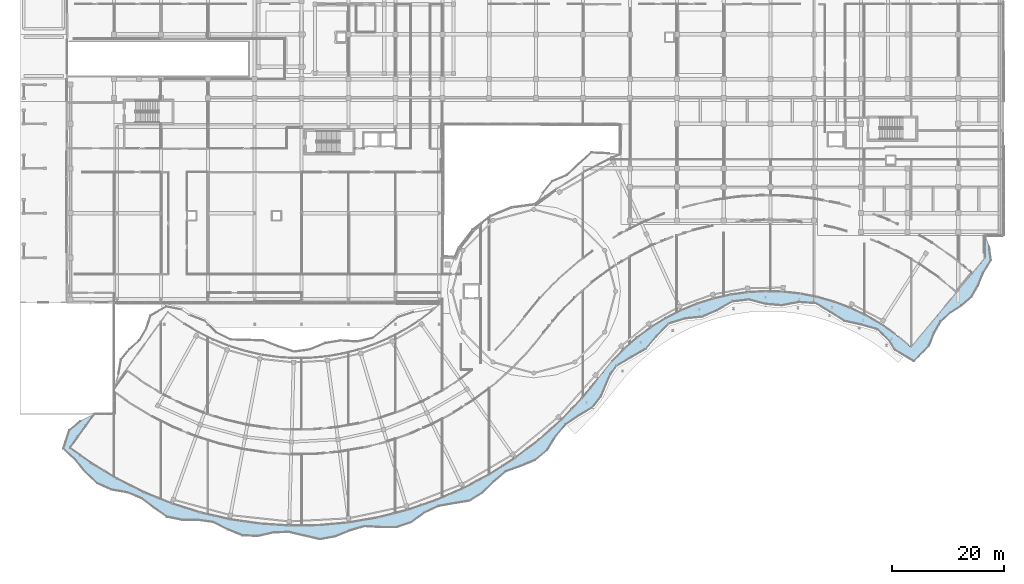
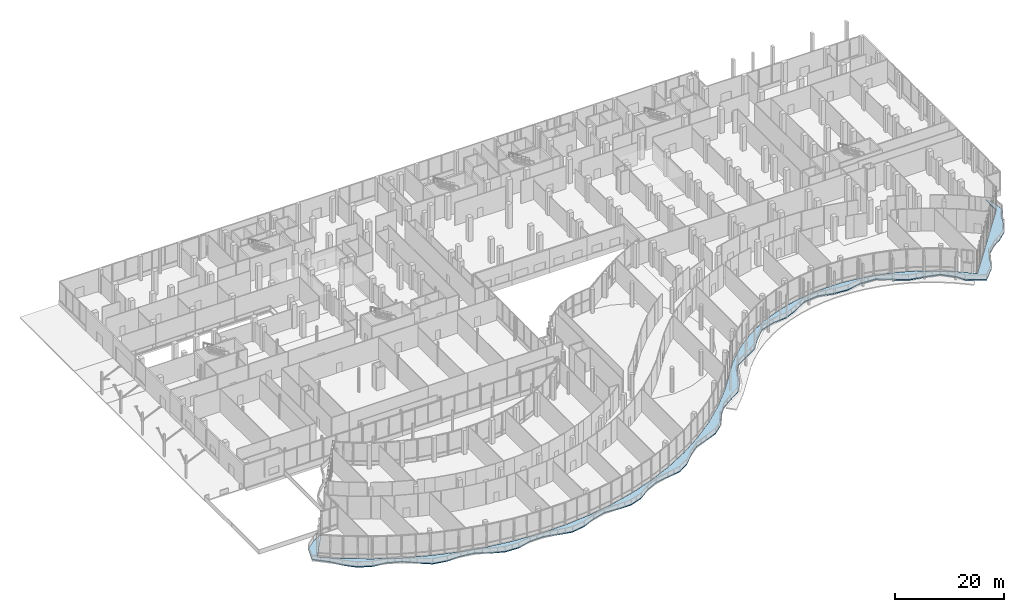
# One storey, part 123 of 158: 1 slab.
"""IFC4 building model written with IfcOpenShell, lengths in metres."""

from ifc_helpers import new_model, si_unit, direction, frame, origin, place, context, subcontext, project, spatial, polyline, outline, extrude, material, layer, layer_set, type_object, element, save


model = new_model("IFC4")

# Units and contexts
model_context = context("Model", 3, precision=1e-05, world=origin(), true_north=direction((0.0, 1.0)))
body_context = subcontext(model_context, "Body", "Model", "MODEL_VIEW")
ifc_project = project(units=[si_unit("LENGTHUNIT", "METRE"), si_unit("AREAUNIT", "SQUARE_METRE"), si_unit("VOLUMEUNIT", "CUBIC_METRE"), si_unit("PLANEANGLEUNIT", "RADIAN"), si_unit("MASSUNIT", "GRAM", prefix="KILO")], contexts=[model_context])

# Site, building, storey
site_placement = place(None, origin())
site = spatial("IfcSite", under=ifc_project, at=site_placement, CompositionType="ELEMENT")
building_placement = place(site_placement, origin())
building = spatial("IfcBuilding", under=site, at=building_placement, Name="Selatvlak General Hospital", CompositionType="ELEMENT")
storey_placement = place(building_placement, origin())
storey = spatial("IfcBuildingStorey", under=building, at=storey_placement, Name="L00", CompositionType="ELEMENT", Elevation=0.0)

# Slab
ifc_material = material(Name="Concrete C40/50", Category="concrete")
ifc_layer = layer(ifc_material, 0.235107421875, Name="Concrete C40/50", Category="concrete")
ifc_layer_set = layer_set([ifc_layer], Name="Concrete C40/50")
slab_type = type_object("IfcSlabType", Name="SLAB-SL-BL0", PredefinedType="FLOOR", material=ifc_layer_set)
slab_placement = place(storey_placement, frame((0.0, 0.0, -0.235107421875)))
element("IfcSlab", 1, at=slab_placement, inside=storey, type_object=slab_type, Name="L00 S-curve sunshade balcony 1", PredefinedType="FLOOR", context=body_context, shape_type="SweptSolid", body=[
    extrude(outline(polyline([(177.5400390625, 55.0029296875), (176.366943359375, 52.97998046875), (174.613037109375, 51.43798828125), (172.575927734375, 50.131103515625), (170.845947265625, 48.569091796875), (169.695068359375, 46.528076171875), (168.7890625, 44.283935546875), (166.06396484375, 41.448974609375), (162.698974609375, 43.443115234375), (161.719970703125, 45.044921875), (159.528076171875, 47.1669921875), (156.56689453125, 48.014892578125), (153.632080078125, 48.660888671875), (151.10400390625, 50.240966796875), (148.4599609375, 51.839111328125), (145.44091796875, 52.032958984375), (142.410888671875, 51.451904296875), (139.5009765625, 51.699951171875), (136.4951171875, 52.485107421875), (133.510009765625, 52.134033203125), (130.820068359375, 50.569091796875), (128.12890625, 49.4150390625), (125.0810546875, 49.10302734375), (122.178955078125, 48.193115234375), (120.029052734375, 45.992919921875), (118.0830078125, 43.700927734375), (115.507080078125, 42.2060546875), (112.827880859375, 40.631103515625), (111.7548828125, 39.18603515625), (110.968994140625, 37.423095703125), (110.001953125, 35.136962890625), (108.471923828125, 33.18505859375), (106.011962890625, 31.698974609375), (103.696044921875, 30.138916015625), (101.909912109375, 28.0419921875), (100.39306640625, 25.573974609375), (98.27392578125, 23.77294921875), (95.633056640625, 22.696044921875), (92.97998046875, 21.73193359375), (90.85595703125, 19.9619140625), (88.83203125, 17.93310546875), (86.462890625, 16.462890625), (83.6240234375, 16.010986328125), (80.864990234375, 15.510009765625), (78.385009765625, 14.322998046875), (76.031982421875, 12.6279296875), (73.39892578125, 11.72900390625), (70.556884765625, 11.72802734375), (67.72998046875, 11.906005859375), (65.077880859375, 11.157958984375), (62.426025390625, 10.06494140625), (59.676025390625, 9.56494140625), (56.883056640625, 10.212890625), (54.14404296875, 10.860107421875), (51.404052734375, 10.787109375), (48.5810546875, 10.133056640625), (45.797119140625, 10.260986328125), (43.166015625, 11.322998046875), (40.634033203125, 12.62109375), (37.9150390625, 13.01806640625), (35.050048828125, 13.0380859375), (32.302978515625, 13.58203125), (29.964111328125, 15.22412109375), (27.702880859375, 16.9150390625), (25.176025390625, 17.966064453125), (22.322998046875, 18.458984375), (19.77392578125, 19.60107421875), (17.740966796875, 21.56201171875), (16.135009765625, 23.552001953125), (13.699951171875, 25.777099609375), (14.794921875, 29.10009765625), (16.777099609375, 30.73388671875), (19.112060546875, 31.919921875), (19.2060546875, 31.919921875), (14.9150390625, 25.955078125), (18.7958984375, 23.172119140625), (23.389892578125, 20.39404296875), (28.18896484375, 17.990966796875), (33.1630859375, 15.97509765625), (38.280029296875, 14.362060546875), (43.511962890625, 13.159912109375), (48.821044921875, 12.3779296875), (54.176025390625, 12.02001953125), (59.54296875, 12.087890625), (64.887939453125, 12.5830078125), (70.176025390625, 13.5009765625), (75.37109375, 14.833984375), (80.449951171875, 16.576904296875), (85.3720703125, 18.719970703125), (90.10498046875, 21.2451171875), (94.626953125, 24.137939453125), (98.903076171875, 27.383056640625), (102.906982421875, 30.9541015625), (106.615966796875, 34.8349609375), (109.6279296875, 38.51611328125), (111.972900390625, 41.406005859375), (114.135009765625, 43.64501953125), (116.47509765625, 45.696044921875), (118.97705078125, 47.547119140625), (121.6220703125, 49.18310546875), (124.39794921875, 50.593994140625), (127.279052734375, 51.77099609375), (130.2451171875, 52.7041015625), (133.281982421875, 53.387939453125), (136.364990234375, 53.819091796875), (139.468994140625, 53.990966796875), (142.5810546875, 53.906005859375), (145.675048828125, 53.56298828125), (148.72998046875, 52.965087890625), (151.720947265625, 52.115966796875), (154.633056640625, 51.02099609375), (157.447021484375, 49.68896484375), (160.138916015625, 48.126953125), (162.69189453125, 46.34912109375), (165.55908203125, 43.9580078125), (178.803955078125, 59.945068359375), (178.804931640625, 63.919921875), (178.830078125, 63.919921875), (179.554931640625, 61.97412109375), (179.85693359375, 59.5390625), (178.445068359375, 57.248046875), (177.5400390625, 55.0029296875)])), origin(), (0.0, 0.0, 1.0), 0.235107421875),
])

save(model, "model.ifc")
